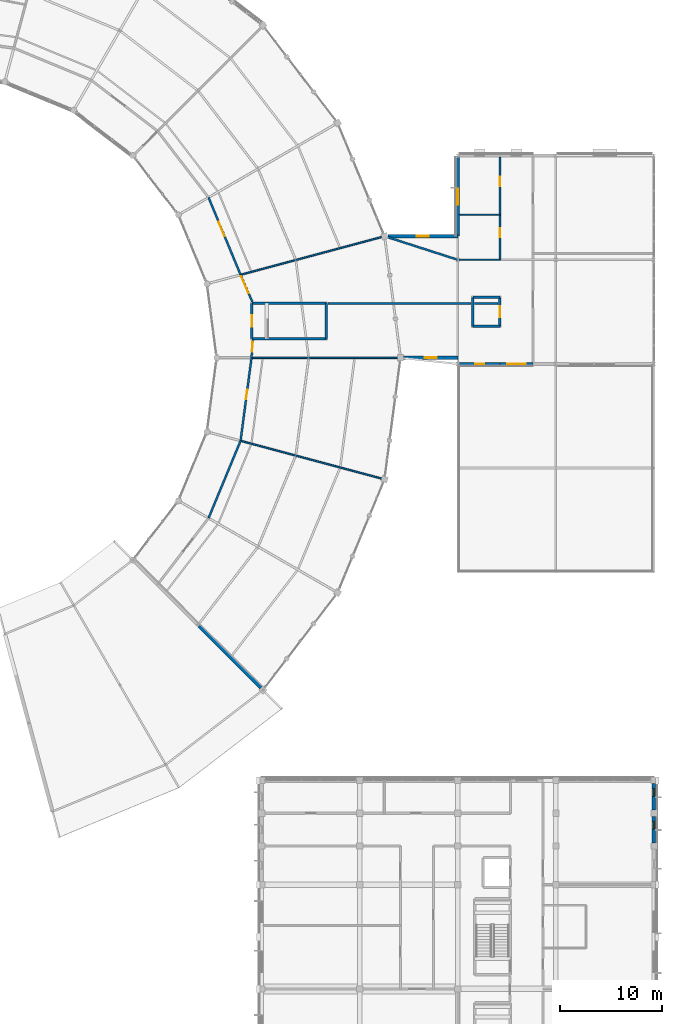
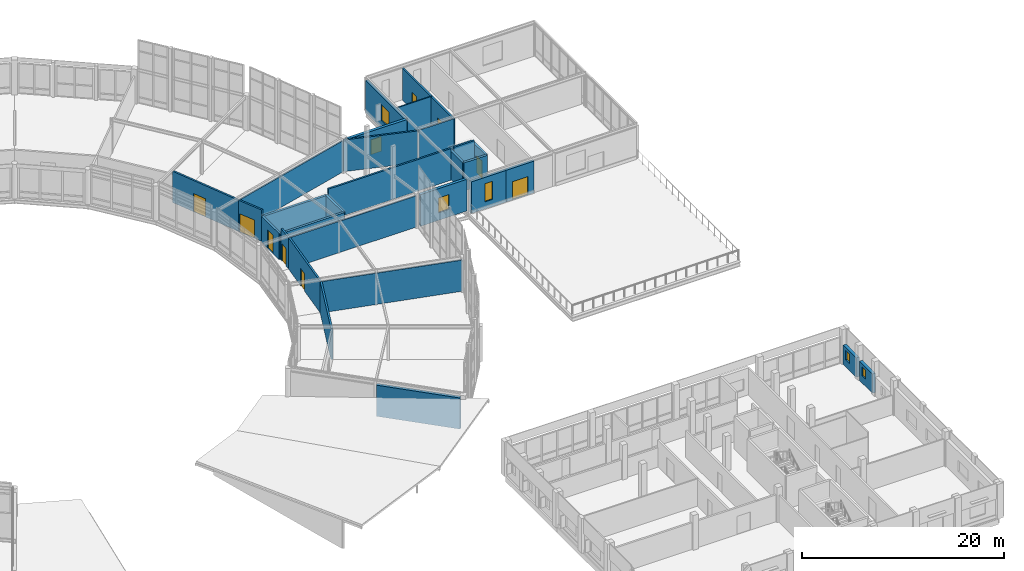
# One storey, part 166 of 185: 30 walls, 9 doors, 6 windows, 15 openings.
"""IFC4 building model written with IfcOpenShell, lengths in metres."""

from ifc_helpers import new_model, si_unit, direction, frame, frame_2d, origin, place, context, subcontext, project, spatial, rectangle, extrude, material, layer, layer_set, type_object, element, fill, save


model = new_model("IFC4")

# Units and contexts
model_context = context("Model", 3, precision=1e-05, world=origin(), true_north=direction((0.0, 1.0)))
body_context = subcontext(model_context, "Body", "Model", "MODEL_VIEW")
ifc_project = project(units=[si_unit("LENGTHUNIT", "METRE"), si_unit("AREAUNIT", "SQUARE_METRE"), si_unit("VOLUMEUNIT", "CUBIC_METRE"), si_unit("PLANEANGLEUNIT", "RADIAN"), si_unit("MASSUNIT", "GRAM", prefix="KILO")], contexts=[model_context])

# Site, building, storey
site_placement = place(None, origin())
site = spatial("IfcSite", under=ifc_project, at=site_placement, CompositionType="ELEMENT")
building_placement = place(site_placement, origin())
building = spatial("IfcBuilding", under=site, at=building_placement, Name="Vondelvale Polytechnic", CompositionType="ELEMENT")
storey_placement = place(building_placement, frame((0.0, 0.0, 9.60009765625)))
storey = spatial("IfcBuildingStorey", under=building, at=storey_placement, Name="L02", CompositionType="ELEMENT", Elevation=9.60009765625)

# Wall, opening, window
ifc_material_1 = material(Name="Amsterdam School iron-spot clinker clay brickwork", Category="masonry")
ifc_layer_1 = layer(ifc_material_1, 0.320068359375)
ifc_layer_set_1 = layer_set([ifc_layer_1], Name="WL-BRICK-320")
wall_type_1 = type_object("IfcWallType", Name="WL-BRICK-320", PredefinedType="SOLIDWALL", material=ifc_layer_set_1)
wall_1_placement = place(storey_placement, frame((157.75, 71.39990234375, 0.0), z_axis=(0.0, 0.0, 1.0), x_axis=(-1.0, 0.0, 0.0)))
wall_1 = element("IfcWall", 1, at=wall_1_placement, inside=storey, type_object=wall_type_1, Name="L02 exterior masonry facade wall", PredefinedType="SOLIDWALL", context=body_context, shape_type="SweptSolid", body=[
    extrude(rectangle(XDim=3.9951171875, YDim=0.320068359375, at=frame_2d((1.99755859375, 0.0))), origin(), (0.0, 0.0, 1.0), 3.82080078125),
])
opening_1_placement = place(wall_1_placement, frame((1.547607421875, 0.0, 0.85009765625)))
opening_1 = element("IfcOpeningElement", 2, at=opening_1_placement, cuts=wall_1, Name="Opening WN-0483", PredefinedType="OPENING", context=body_context, shape_type="SweptSolid", body=[
    extrude(rectangle(XDim=0.89990234375, YDim=2.199951171875, at=frame_2d((0.449951171875, 1.10009765625))), frame((0.0, 0.169921875, 0.0), z_axis=(0.0, -1.0, 0.0), x_axis=(1.0, 0.0, 0.0)), (0.0, 0.0, 1.0), 0.340087890625),
])
ifc_material_2 = material(Name="Double-glazed low-E insulated architectural glass", Category="glass")
window_type_1 = type_object("IfcWindowType", Name="WN-TUR-0900x2200", PartitioningType="SINGLE_PANEL", PredefinedType="WINDOW", material=ifc_material_2)
window_1_placement = place(opening_1_placement, origin())
window_1 = element("IfcWindow", 3, at=window_1_placement, inside=storey, type_object=window_type_1, Name="L02 double-glazed architectural window WN-0483", OverallHeight=2.199951171875, OverallWidth=0.89990234375, PartitioningType="SINGLE_PANEL", PredefinedType="WINDOW", context=body_context, shape_type="SweptSolid", body=[
    extrude(rectangle(XDim=0.89990234375, YDim=2.199951171875, at=frame_2d((0.449951171875, 1.10009765625))), frame((0.0, 0.030029296875, 0.0), z_axis=(0.0, -1.0, 0.0), x_axis=(1.0, 0.0, 0.0)), (0.0, 0.0, 1.0), 0.06005859375),
])
fill(opening_1, window_1)

# Wall, opening, door
wall_2_placement = place(storey_placement, frame((160.949951171875, 71.39990234375, 0.0), z_axis=(0.0, 0.0, 1.0), x_axis=(-1.0, 0.0, 0.0)))
wall_2 = element("IfcWall", 4, at=wall_2_placement, inside=storey, type_object=wall_type_1, Name="L02 exterior masonry facade wall", PredefinedType="SOLIDWALL", context=body_context, shape_type="SweptSolid", body=[
    extrude(rectangle(XDim=3.199951171875, YDim=0.320068359375, at=frame_2d((1.60009765625, 0.0))), origin(), (0.0, 0.0, 1.0), 3.82080078125),
])
opening_2_placement = place(wall_2_placement, frame((0.699951171875, 0.0, 0.0)))
opening_2 = element("IfcOpeningElement", 5, at=opening_2_placement, cuts=wall_2, Name="Opening ED-039", PredefinedType="OPENING", context=body_context, shape_type="SweptSolid", body=[
    extrude(rectangle(XDim=1.800048828125, YDim=2.199951171875, at=frame_2d((0.89990234375, 1.10009765625))), frame((0.0, 0.169921875, 0.0), z_axis=(0.0, -1.0, 0.0), x_axis=(1.0, 0.0, 0.0)), (0.0, 0.0, 1.0), 0.340087890625),
])
ifc_material_3 = material(Name="Anodised extruded aluminium 6063-T6", Category="aluminium")
door_type_1 = type_object("IfcDoorType", Name="DR-TER-1800x2200", OperationType="DOUBLE_DOOR_SINGLE_SWING", PredefinedType="DOOR", material=ifc_material_3)
door_1_placement = place(opening_2_placement, origin())
door_1 = element("IfcDoor", 6, at=door_1_placement, inside=storey, type_object=door_type_1, Name="L02 exterior entrance/exit door ED-039", OperationType="DOUBLE_DOOR_SINGLE_SWING", OverallHeight=2.199951171875, OverallWidth=1.800048828125, PredefinedType="DOOR", context=body_context, shape_type="SweptSolid", body=[
    extrude(rectangle(XDim=1.800048828125, YDim=2.199951171875, at=frame_2d((0.89990234375, 1.10009765625))), frame((0.0, 0.02490234375, 0.0), z_axis=(0.0, -1.0, 0.0), x_axis=(1.0, 0.0, 0.0)), (0.0, 0.0, 1.0), 0.050048828125),
])
fill(opening_2, door_1)

# Wall, opening, window
wall_3_placement = place(storey_placement, frame((153.60009765625, 83.90576171875, 0.0), z_axis=(0.0, 0.0, 1.0), x_axis=(0.0, 1.0, 0.0)))
wall_3 = element("IfcWall", 7, at=wall_3_placement, inside=storey, type_object=wall_type_1, Name="L02 exterior masonry facade wall", PredefinedType="SOLIDWALL", context=body_context, shape_type="SweptSolid", body=[
    extrude(rectangle(XDim=7.7392578125, YDim=0.320068359375, at=frame_2d((3.86962890625, 0.0))), origin(), (0.0, 0.0, 1.0), 3.82080078125),
])
opening_3_placement = place(wall_3_placement, frame((3.069580078125, 0.0, 0.89990234375)))
opening_3 = element("IfcOpeningElement", 8, at=opening_3_placement, cuts=wall_3, Name="Opening WN-0485", PredefinedType="OPENING", context=body_context, shape_type="SweptSolid", body=[
    extrude(rectangle(XDim=1.60009765625, YDim=1.89990234375, at=frame_2d((0.800048828125, 0.949951171875))), frame((0.0, 0.169921875, 0.0), z_axis=(0.0, -1.0, 0.0), x_axis=(1.0, 0.0, 0.0)), (0.0, 0.0, 1.0), 0.340087890625),
])
window_type_2 = type_object("IfcWindowType", Name="WN-SEM-1600x1900", PartitioningType="SINGLE_PANEL", PredefinedType="WINDOW", material=ifc_material_2)
window_2_placement = place(opening_3_placement, origin())
window_2 = element("IfcWindow", 9, at=window_2_placement, inside=storey, type_object=window_type_2, Name="L02 double-glazed architectural window WN-0485", OverallHeight=1.89990234375, OverallWidth=1.60009765625, PartitioningType="SINGLE_PANEL", PredefinedType="WINDOW", context=body_context, shape_type="SweptSolid", body=[
    extrude(rectangle(XDim=1.60009765625, YDim=1.89990234375, at=frame_2d((0.800048828125, 0.949951171875))), frame((0.0, 0.030029296875, 0.0), z_axis=(0.0, -1.0, 0.0), x_axis=(1.0, 0.0, 0.0)), (0.0, 0.0, 1.0), 0.06005859375),
])
fill(opening_3, window_2)

wall_4_placement = place(storey_placement, frame((153.60009765625, 72.0, 0.0), z_axis=(0.0, 0.0, 1.0), x_axis=(-1.0, 0.0, 0.0)))
wall_4 = element("IfcWall", 10, at=wall_4_placement, inside=storey, type_object=wall_type_1, Name="L02 exterior masonry facade wall", PredefinedType="SOLIDWALL", context=body_context, shape_type="SweptSolid", body=[
    extrude(rectangle(XDim=5.299072265625, YDim=0.320068359375, at=frame_2d((2.6494140625, 0.0))), origin(), (0.0, 0.0, 1.0), 3.82080078125),
])
opening_4_placement = place(wall_4_placement, frame((2.049560546875, 0.0, 0.89990234375)))
opening_4 = element("IfcOpeningElement", 11, at=opening_4_placement, cuts=wall_4, Name="Opening WN-0486", PredefinedType="OPENING", context=body_context, shape_type="SweptSolid", body=[
    extrude(rectangle(XDim=1.199951171875, YDim=1.800048828125, at=frame_2d((0.60009765625, 0.89990234375))), frame((0.0, 0.169921875, 0.0), z_axis=(0.0, -1.0, 0.0), x_axis=(1.0, 0.0, 0.0)), (0.0, 0.0, 1.0), 0.340087890625),
])
window_type_3 = type_object("IfcWindowType", Name="WN-OFF-1200x1800", PartitioningType="SINGLE_PANEL", PredefinedType="WINDOW", material=ifc_material_2)
window_3_placement = place(opening_4_placement, origin())
window_3 = element("IfcWindow", 12, at=window_3_placement, inside=storey, type_object=window_type_3, Name="L02 double-glazed architectural window WN-0486", OverallHeight=1.800048828125, OverallWidth=1.199951171875, PartitioningType="SINGLE_PANEL", PredefinedType="WINDOW", context=body_context, shape_type="SweptSolid", body=[
    extrude(rectangle(XDim=1.199951171875, YDim=1.800048828125, at=frame_2d((0.60009765625, 0.89990234375))), frame((0.0, 0.030029296875, 0.0), z_axis=(0.0, -1.0, 0.0), x_axis=(1.0, 0.0, 0.0)), (0.0, 0.0, 1.0), 0.06005859375),
])
fill(opening_4, window_3)

wall_5_placement = place(storey_placement, frame((146.744140625, 83.90576171875, 0.0), z_axis=(0.0, 0.0, 1.0), x_axis=(1.0, 0.0, 0.0)))
wall_5 = element("IfcWall", 13, at=wall_5_placement, inside=storey, type_object=wall_type_1, Name="L02 exterior masonry facade wall", PredefinedType="SOLIDWALL", context=body_context, shape_type="SweptSolid", body=[
    extrude(rectangle(XDim=6.85595703125, YDim=0.320068359375, at=frame_2d((3.427978515625, 0.0))), origin(), (0.0, 0.0, 1.0), 3.82080078125),
])
opening_5_placement = place(wall_5_placement, frame((2.827880859375, 0.0, 0.89990234375)))
opening_5 = element("IfcOpeningElement", 14, at=opening_5_placement, cuts=wall_5, Name="Opening WN-0487", PredefinedType="OPENING", context=body_context, shape_type="SweptSolid", body=[
    extrude(rectangle(XDim=1.199951171875, YDim=1.800048828125, at=frame_2d((0.60009765625, 0.89990234375))), frame((0.0, 0.169921875, 0.0), z_axis=(0.0, -1.0, 0.0), x_axis=(1.0, 0.0, 0.0)), (0.0, 0.0, 1.0), 0.340087890625),
])
window_4_placement = place(opening_5_placement, origin())
window_4 = element("IfcWindow", 15, at=window_4_placement, inside=storey, type_object=window_type_3, Name="L02 double-glazed architectural window WN-0487", OverallHeight=1.800048828125, OverallWidth=1.199951171875, PartitioningType="SINGLE_PANEL", PredefinedType="WINDOW", context=body_context, shape_type="SweptSolid", body=[
    extrude(rectangle(XDim=1.199951171875, YDim=1.800048828125, at=frame_2d((0.60009765625, 0.89990234375))), frame((0.0, 0.030029296875, 0.0), z_axis=(0.0, -1.0, 0.0), x_axis=(1.0, 0.0, 0.0)), (0.0, 0.0, 1.0), 0.06005859375),
])
fill(opening_5, window_4)

ifc_layer_2 = layer(ifc_material_1, 0.35009765625)
ifc_layer_set_2 = layer_set([ifc_layer_2], Name="WL-BRICK-350")
wall_type_2 = type_object("IfcWallType", Name="WL-BRICK-350", PredefinedType="SOLIDWALL", material=ifc_layer_set_2)
wall_6_placement = place(storey_placement, frame((172.800048828125, 30.299072265625, 0.0), z_axis=(0.0, 0.0, 1.0), x_axis=(0.0, -1.0, 0.0)))
wall_6 = element("IfcWall", 16, at=wall_6_placement, inside=storey, type_object=wall_type_2, Name="L02 exterior masonry facade wall", PredefinedType="SOLIDWALL", context=body_context, shape_type="SweptSolid", body=[
    extrude(rectangle(XDim=2.59814453125, YDim=0.35009765625, at=frame_2d((1.299072265625, 0.0))), origin(), (0.0, 0.0, 1.0), 2.329833984375),
])
opening_6_placement = place(wall_6_placement, frame((0.498046875, 0.0, 0.85009765625)))
opening_6 = element("IfcOpeningElement", 17, at=opening_6_placement, cuts=wall_6, Name="Opening WN-0388", PredefinedType="OPENING", context=body_context, shape_type="SweptSolid", body=[
    extrude(rectangle(XDim=0.75, YDim=1.10009765625, at=frame_2d((0.375, 0.550048828125))), frame((0.0, 0.18505859375, 0.0), z_axis=(0.0, -1.0, 0.0), x_axis=(1.0, 0.0, 0.0)), (0.0, 0.0, 1.0), 0.3701171875),
])
window_type_4 = type_object("IfcWindowType", Name="WN-WC-0750x1100", PartitioningType="SINGLE_PANEL", PredefinedType="WINDOW", material=ifc_material_2)
window_5_placement = place(opening_6_placement, origin())
window_5 = element("IfcWindow", 18, at=window_5_placement, inside=storey, type_object=window_type_4, Name="L02 double-glazed architectural window WN-0388", OverallHeight=1.10009765625, OverallWidth=0.75, PartitioningType="SINGLE_PANEL", PredefinedType="WINDOW", context=body_context, shape_type="SweptSolid", body=[
    extrude(rectangle(XDim=0.75, YDim=1.10009765625, at=frame_2d((0.375, 0.550048828125))), frame((0.0, 0.030029296875, 0.0), z_axis=(0.0, -1.0, 0.0), x_axis=(1.0, 0.0, 0.0)), (0.0, 0.0, 1.0), 0.06005859375),
])
fill(opening_6, window_5)

wall_7_placement = place(storey_placement, frame((172.800048828125, 27.09912109375, 0.0), z_axis=(0.0, 0.0, 1.0), x_axis=(0.0, -1.0, 0.0)))
wall_7 = element("IfcWall", 19, at=wall_7_placement, inside=storey, type_object=wall_type_2, Name="L02 exterior masonry facade wall", PredefinedType="SOLIDWALL", context=body_context, shape_type="SweptSolid", body=[
    extrude(rectangle(XDim=2.59814453125, YDim=0.35009765625, at=frame_2d((1.299072265625, 0.0))), origin(), (0.0, 0.0, 1.0), 2.329833984375),
])
opening_7_placement = place(wall_7_placement, frame((0.498046875, 0.0, 0.85009765625)))
opening_7 = element("IfcOpeningElement", 20, at=opening_7_placement, cuts=wall_7, Name="Opening WN-0389", PredefinedType="OPENING", context=body_context, shape_type="SweptSolid", body=[
    extrude(rectangle(XDim=0.75, YDim=1.10009765625, at=frame_2d((0.375, 0.550048828125))), frame((0.0, 0.18505859375, 0.0), z_axis=(0.0, -1.0, 0.0), x_axis=(1.0, 0.0, 0.0)), (0.0, 0.0, 1.0), 0.3701171875),
])
window_6_placement = place(opening_7_placement, origin())
window_6 = element("IfcWindow", 21, at=window_6_placement, inside=storey, type_object=window_type_4, Name="L02 double-glazed architectural window WN-0389", OverallHeight=1.10009765625, OverallWidth=0.75, PartitioningType="SINGLE_PANEL", PredefinedType="WINDOW", context=body_context, shape_type="SweptSolid", body=[
    extrude(rectangle(XDim=0.75, YDim=1.10009765625, at=frame_2d((0.375, 0.550048828125))), frame((0.0, 0.030029296875, 0.0), z_axis=(0.0, -1.0, 0.0), x_axis=(1.0, 0.0, 0.0)), (0.0, 0.0, 1.0), 0.06005859375),
])
fill(opening_7, window_6)

# Walls
wall_8_placement = place(storey_placement, frame((128.255615234375, 45.744384765625, 0.0), z_axis=(0.0, 0.0, 1.0), x_axis=(0.707106781187, -0.707106781187, 0.0)))
element("IfcWall", 22, at=wall_8_placement, inside=storey, type_object=wall_type_2, Name="L02 exterior masonry facade wall", PredefinedType="SOLIDWALL", context=body_context, shape_type="SweptSolid", body=[
    extrude(rectangle(XDim=8.568115234375, YDim=0.35009765625, at=frame_2d((4.2841796875, 0.0))), origin(), (0.0, 0.0, 1.0), 3.760009765625),
])
ifc_material_4 = material(Name="Concrete N40 (f'c = 40 MPa)", Category="concrete")
ifc_layer_3 = layer(ifc_material_4, 0.25)
ifc_layer_set_3 = layer_set([ifc_layer_3], Name="WL-CORE-250")
wall_type_3 = type_object("IfcWallType", Name="WL-CORE-250", PredefinedType="SOLIDWALL", material=ifc_layer_set_3)
wall_9_placement = place(storey_placement, frame((133.425048828125, 73.875, 0.0), z_axis=(0.0, 0.0, 1.0), x_axis=(1.0, 0.0, 0.0)))
element("IfcWall", 23, at=wall_9_placement, inside=storey, type_object=wall_type_3, Name="L02 ST-08 reinforced concrete stair core wall", PredefinedType="SOLIDWALL", context=body_context, shape_type="SweptSolid", body=[
    extrude(rectangle(XDim=7.300048828125, YDim=0.25, at=frame_2d((3.64990234375, 0.0))), origin(), (0.0, 0.0, 1.0), 3.14990234375),
])
wall_10_placement = place(storey_placement, frame((140.72509765625, 73.875, 0.0), z_axis=(0.0, 0.0, 1.0), x_axis=(0.0, 1.0, 0.0)))
element("IfcWall", 24, at=wall_10_placement, inside=storey, type_object=wall_type_3, Name="L02 ST-08 reinforced concrete stair core wall", PredefinedType="SOLIDWALL", context=body_context, shape_type="SweptSolid", body=[
    extrude(rectangle(XDim=3.449951171875, YDim=0.25, at=frame_2d((1.72509765625, 0.0))), origin(), (0.0, 0.0, 1.0), 3.14990234375),
])
wall_11_placement = place(storey_placement, frame((140.72509765625, 77.324951171875, 0.0), z_axis=(0.0, 0.0, 1.0), x_axis=(-1.0, 0.0, 0.0)))
element("IfcWall", 25, at=wall_11_placement, inside=storey, type_object=wall_type_3, Name="L02 ST-08 reinforced concrete stair core wall", PredefinedType="SOLIDWALL", context=body_context, shape_type="SweptSolid", body=[
    extrude(rectangle(XDim=7.300048828125, YDim=0.25, at=frame_2d((3.64990234375, 0.0))), origin(), (0.0, 0.0, 1.0), 3.14990234375),
])

# Wall, opening, door
wall_12_placement = place(storey_placement, frame((133.425048828125, 77.324951171875, 0.0), z_axis=(0.0, 0.0, 1.0), x_axis=(0.0, -1.0, 0.0)))
wall_12 = element("IfcWall", 26, at=wall_12_placement, inside=storey, type_object=wall_type_3, Name="L02 ST-08 reinforced concrete stair core wall", PredefinedType="SOLIDWALL", context=body_context, shape_type="SweptSolid", body=[
    extrude(rectangle(XDim=3.449951171875, YDim=0.25, at=frame_2d((1.72509765625, 0.0))), origin(), (0.0, 0.0, 1.0), 3.14990234375),
])
opening_8_placement = place(wall_12_placement, frame((1.175048828125, 0.0, 0.0)))
opening_8 = element("IfcOpeningElement", 27, at=opening_8_placement, cuts=wall_12, Name="Opening SD-047", PredefinedType="OPENING", context=body_context, shape_type="SweptSolid", body=[
    extrude(rectangle(XDim=1.10009765625, YDim=2.199951171875, at=frame_2d((0.550048828125, 1.10009765625))), frame((0.0, 0.135009765625, 0.0), z_axis=(0.0, -1.0, 0.0), x_axis=(1.0, 0.0, 0.0)), (0.0, 0.0, 1.0), 0.27001953125),
])
ifc_material_5 = material(Name="Brushed architectural stainless and zinc-coated metal")
door_type_2 = type_object("IfcDoorType", Name="DR-STAIR-1100x2200", OperationType="SINGLE_SWING_LEFT", PredefinedType="DOOR", material=ifc_material_5)
door_2_placement = place(opening_8_placement, origin())
door_2 = element("IfcDoor", 28, at=door_2_placement, inside=storey, type_object=door_type_2, Name="L02 ST-08 fire-isolated stair door", OperationType="SINGLE_SWING_LEFT", OverallHeight=2.199951171875, OverallWidth=1.10009765625, PredefinedType="DOOR", context=body_context, shape_type="SweptSolid", body=[
    extrude(rectangle(XDim=1.10009765625, YDim=2.199951171875, at=frame_2d((0.550048828125, 1.10009765625))), frame((0.0, 0.02490234375, 0.0), z_axis=(0.0, -1.0, 0.0), x_axis=(1.0, 0.0, 0.0)), (0.0, 0.0, 1.0), 0.050048828125),
])
fill(opening_8, door_2)

ifc_material_6 = material(Name="Fire-rated double-layer plasterboard stud partition")
ifc_layer_4 = layer(ifc_material_6, 0.199951171875)
ifc_layer_set_4 = layer_set([ifc_layer_4], Name="WL-CORR-200")
wall_type_4 = type_object("IfcWallType", Name="WL-CORR-200", PredefinedType="PARTITIONING", material=ifc_layer_set_4)
wall_13_placement = place(storey_placement, frame((133.39990234375, 72.0, 0.0), z_axis=(0.0, 0.0, 1.0), x_axis=(0.07984138391, 0.996807580938, 0.0)))
wall_13 = element("IfcWall", 29, at=wall_13_placement, inside=storey, type_object=wall_type_4, Name="L02 interior acoustic partition", PredefinedType="PARTITIONING", context=body_context, shape_type="SweptSolid", body=[
    extrude(rectangle(XDim=1.71533203125, YDim=0.199951171875, at=frame_2d((0.857666015625, 0.0))), origin(), (0.0, 0.0, 1.0), 3.77685546875),
])
opening_9_placement = place(wall_13_placement, frame((0.60546875, 0.0, 0.0)))
opening_9 = element("IfcOpeningElement", 30, at=opening_9_placement, cuts=wall_13, Name="Opening ID-0328", PredefinedType="OPENING", context=body_context, shape_type="SweptSolid", body=[
    extrude(rectangle(XDim=0.919921875, YDim=2.10009765625, at=frame_2d((0.4599609375, 1.050048828125))), frame((0.0, 0.10986328125, 0.0), z_axis=(0.0, -1.0, 0.0), x_axis=(1.0, 0.0, 0.0)), (0.0, 0.0, 1.0), 0.219970703125),
])
ifc_material_7 = material(Name="Fire-rated solid Tasmanian oak joinery")
door_type_3 = type_object("IfcDoorType", Name="DR-INT-0920x2100", OperationType="SINGLE_SWING_LEFT", PredefinedType="DOOR", material=ifc_material_7)
door_3_placement = place(opening_9_placement, origin())
door_3 = element("IfcDoor", 31, at=door_3_placement, inside=storey, type_object=door_type_3, Name="L02 interior room door ID-0328", OperationType="SINGLE_SWING_RIGHT", OverallHeight=2.10009765625, OverallWidth=0.919921875, PredefinedType="DOOR", context=body_context, shape_type="SweptSolid", body=[
    extrude(rectangle(XDim=0.919921875, YDim=2.10009765625, at=frame_2d((0.4599609375, 1.050048828125))), frame((0.0, 0.02490234375, 0.0), z_axis=(0.0, -1.0, 0.0), x_axis=(1.0, 0.0, 0.0)), (0.0, 0.0, 1.0), 0.050048828125),
])
fill(opening_9, door_3)

wall_14_placement = place(storey_placement, frame((133.478271484375, 77.489990234375, 0.0), z_axis=(0.0, 0.0, 1.0), x_axis=(-0.399219580964, 0.916855346374, 0.0)))
wall_14 = element("IfcWall", 32, at=wall_14_placement, inside=storey, type_object=wall_type_4, Name="L02 interior acoustic partition", PredefinedType="PARTITIONING", context=body_context, shape_type="SweptSolid", body=[
    extrude(rectangle(XDim=2.8759765625, YDim=0.199951171875, at=frame_2d((1.43798828125, 0.0))), origin(), (0.0, 0.0, 1.0), 3.77685546875),
])
opening_10_placement = place(wall_14_placement, frame((0.916015625, 0.0, 0.0)))
opening_10 = element("IfcOpeningElement", 33, at=opening_10_placement, cuts=wall_14, Name="Opening ID-0329", PredefinedType="OPENING", context=body_context, shape_type="SweptSolid", body=[
    extrude(rectangle(XDim=1.800048828125, YDim=2.199951171875, at=frame_2d((0.89990234375, 1.10009765625))), frame((0.0, 0.10986328125, 0.0), z_axis=(0.0, -1.0, 0.0), x_axis=(1.0, 0.0, 0.0)), (0.0, 0.0, 1.0), 0.219970703125),
])
ifc_material_8 = material(Name="Engineered Tasmanian oak studio and bridge joinery")
door_type_4 = type_object("IfcDoorType", Name="DR-COR-1800x2200", OperationType="DOUBLE_DOOR_SINGLE_SWING", PredefinedType="DOOR", material=ifc_material_8)
door_4_placement = place(opening_10_placement, origin())
door_4 = element("IfcDoor", 34, at=door_4_placement, inside=storey, type_object=door_type_4, Name="L02 interior room door ID-0329", OperationType="DOUBLE_DOOR_SINGLE_SWING", OverallHeight=2.199951171875, OverallWidth=1.800048828125, PredefinedType="DOOR", context=body_context, shape_type="SweptSolid", body=[
    extrude(rectangle(XDim=1.800048828125, YDim=2.199951171875, at=frame_2d((0.89990234375, 1.10009765625))), frame((0.0, 0.02490234375, 0.0), z_axis=(0.0, -1.0, 0.0), x_axis=(1.0, 0.0, 0.0)), (0.0, 0.0, 1.0), 0.050048828125),
])
fill(opening_10, door_4)

# Walls
wall_15_placement = place(storey_placement, frame((140.889892578125, 77.324951171875, 0.0), z_axis=(0.0, 0.0, 1.0), x_axis=(1.0, 0.0, 0.0)))
element("IfcWall", 35, at=wall_15_placement, inside=storey, type_object=wall_type_4, Name="L02 interior acoustic partition", PredefinedType="PARTITIONING", context=body_context, shape_type="SweptSolid", body=[
    extrude(rectangle(XDim=14.02001953125, YDim=0.199951171875, at=frame_2d((7.010009765625, 0.0))), origin(), (0.0, 0.0, 1.0), 3.82080078125),
])
wall_16_placement = place(storey_placement, frame((155.239990234375, 77.324951171875, 0.0), z_axis=(0.0, 0.0, 1.0), x_axis=(1.0, 0.0, 0.0)))
element("IfcWall", 36, at=wall_16_placement, inside=storey, type_object=wall_type_4, Name="L02 interior acoustic partition", PredefinedType="PARTITIONING", context=body_context, shape_type="SweptSolid", body=[
    extrude(rectangle(XDim=2.320068359375, YDim=0.199951171875, at=frame_2d((1.16015625, 0.0))), origin(), (0.0, 0.0, 1.0), 3.849853515625),
])
wall_17_placement = place(storey_placement, frame((146.4326171875, 83.90576171875, 0.0), z_axis=(0.0, 0.0, 1.0), x_axis=(0.951957686255, -0.306229592921, 0.0)))
element("IfcWall", 37, at=wall_17_placement, inside=storey, type_object=wall_type_4, Name="L02 interior acoustic partition", PredefinedType="PARTITIONING", context=body_context, shape_type="SweptSolid", body=[
    extrude(rectangle(XDim=7.529296875, YDim=0.199951171875, at=frame_2d((3.7646484375, 0.0))), origin(), (0.0, 0.0, 1.0), 3.82080078125),
])

# Wall, openings, doors
wall_18_placement = place(storey_placement, frame((157.75, 81.60009765625, 0.0), z_axis=(0.0, 0.0, 1.0), x_axis=(0.0, 1.0, 0.0)))
wall_18 = element("IfcWall", 38, at=wall_18_placement, inside=storey, type_object=wall_type_4, Name="L02 interior acoustic partition", PredefinedType="PARTITIONING", context=body_context, shape_type="SweptSolid", body=[
    extrude(rectangle(XDim=10.0498046875, YDim=0.199951171875, at=frame_2d((5.02490234375, 0.0))), origin(), (0.0, 0.0, 1.0), 3.82080078125),
])
opening_11_placement = place(wall_18_placement, frame((2.199951171875, 0.0, 0.0)))
opening_11 = element("IfcOpeningElement", 39, at=opening_11_placement, cuts=wall_18, Name="Opening ID-0332", PredefinedType="OPENING", context=body_context, shape_type="SweptSolid", body=[
    extrude(rectangle(XDim=0.89990234375, YDim=2.050048828125, at=frame_2d((0.449951171875, 1.02490234375))), frame((0.0, 0.10986328125, 0.0), z_axis=(0.0, -1.0, 0.0), x_axis=(1.0, 0.0, 0.0)), (0.0, 0.0, 1.0), 0.219970703125),
])
opening_12_placement = place(wall_18_placement, frame((7.199951171875, 0.0, 0.0)))
opening_12 = element("IfcOpeningElement", 40, at=opening_12_placement, cuts=wall_18, Name="Opening ID-0333", PredefinedType="OPENING", context=body_context, shape_type="SweptSolid", body=[
    extrude(rectangle(XDim=0.919921875, YDim=2.10009765625, at=frame_2d((0.4599609375, 1.050048828125))), frame((0.0, 0.10986328125, 0.0), z_axis=(0.0, -1.0, 0.0), x_axis=(1.0, 0.0, 0.0)), (0.0, 0.0, 1.0), 0.219970703125),
])
door_5_placement = place(opening_12_placement, origin())
door_5 = element("IfcDoor", 41, at=door_5_placement, inside=storey, type_object=door_type_3, Name="L02 interior room door ID-0333", OperationType="SINGLE_SWING_LEFT", OverallHeight=2.10009765625, OverallWidth=0.919921875, PredefinedType="DOOR", context=body_context, shape_type="SweptSolid", body=[
    extrude(rectangle(XDim=0.919921875, YDim=2.10009765625, at=frame_2d((0.4599609375, 1.050048828125))), frame((0.0, 0.02490234375, 0.0), z_axis=(0.0, -1.0, 0.0), x_axis=(1.0, 0.0, 0.0)), (0.0, 0.0, 1.0), 0.050048828125),
])
fill(opening_12, door_5)
door_type_5 = type_object("IfcDoorType", Name="DR-WC-0900x2050", OperationType="SINGLE_SWING_RIGHT", PredefinedType="DOOR", material=ifc_material_7)
door_6_placement = place(opening_11_placement, origin())
door_6 = element("IfcDoor", 42, at=door_6_placement, inside=storey, type_object=door_type_5, Name="L02 interior room door ID-0332", OperationType="SINGLE_SWING_RIGHT", OverallHeight=2.050048828125, OverallWidth=0.89990234375, PredefinedType="DOOR", context=body_context, shape_type="SweptSolid", body=[
    extrude(rectangle(XDim=0.89990234375, YDim=2.050048828125, at=frame_2d((0.449951171875, 1.02490234375))), frame((0.0, 0.02490234375, 0.0), z_axis=(0.0, -1.0, 0.0), x_axis=(1.0, 0.0, 0.0)), (0.0, 0.0, 1.0), 0.050048828125),
])
fill(opening_11, door_6)

# Wall
wall_19_placement = place(storey_placement, frame((129.193115234375, 56.300048828125, 0.0), z_axis=(0.0, 0.0, 1.0), x_axis=(0.382696385238, 0.923874167149, 0.0)))
element("IfcWall", 43, at=wall_19_placement, inside=storey, type_object=wall_type_4, Name="L02 interior acoustic partition", PredefinedType="PARTITIONING", context=body_context, shape_type="SweptSolid", body=[
    extrude(rectangle(XDim=8.197021484375, YDim=0.199951171875, at=frame_2d((4.0986328125, 0.0))), origin(), (0.0, 0.0, 1.0), 3.77685546875),
])

# Wall, opening, door
wall_20_placement = place(storey_placement, frame((132.330078125, 63.873046875, 0.0), z_axis=(0.0, 0.0, 1.0), x_axis=(0.130513066404, 0.991446589332, 0.0)))
wall_20 = element("IfcWall", 44, at=wall_20_placement, inside=storey, type_object=wall_type_4, Name="L02 interior acoustic partition", PredefinedType="PARTITIONING", context=body_context, shape_type="SweptSolid", body=[
    extrude(rectangle(XDim=8.197021484375, YDim=0.199951171875, at=frame_2d((4.0986328125, 0.0))), origin(), (0.0, 0.0, 1.0), 3.77685546875),
])
opening_13_placement = place(wall_20_placement, frame((4.10009765625, 0.0, 0.0)))
opening_13 = element("IfcOpeningElement", 45, at=opening_13_placement, cuts=wall_20, Name="Opening ID-0335", PredefinedType="OPENING", context=body_context, shape_type="SweptSolid", body=[
    extrude(rectangle(XDim=0.919921875, YDim=2.10009765625, at=frame_2d((0.4599609375, 1.050048828125))), frame((0.0, 0.10986328125, 0.0), z_axis=(0.0, -1.0, 0.0), x_axis=(1.0, 0.0, 0.0)), (0.0, 0.0, 1.0), 0.219970703125),
])
door_7_placement = place(opening_13_placement, origin())
door_7 = element("IfcDoor", 46, at=door_7_placement, inside=storey, type_object=door_type_3, Name="L02 interior room door ID-0335", OperationType="SINGLE_SWING_LEFT", OverallHeight=2.10009765625, OverallWidth=0.919921875, PredefinedType="DOOR", context=body_context, shape_type="SweptSolid", body=[
    extrude(rectangle(XDim=0.919921875, YDim=2.10009765625, at=frame_2d((0.4599609375, 1.050048828125))), frame((0.0, 0.02490234375, 0.0), z_axis=(0.0, -1.0, 0.0), x_axis=(1.0, 0.0, 0.0)), (0.0, 0.0, 1.0), 0.050048828125),
])
fill(opening_13, door_7)

wall_21_placement = place(storey_placement, frame((132.330078125, 80.126953125, 0.0), z_axis=(0.0, 0.0, 1.0), x_axis=(-0.382696385238, 0.923874167149, 0.0)))
wall_21 = element("IfcWall", 47, at=wall_21_placement, inside=storey, type_object=wall_type_4, Name="L02 interior acoustic partition", PredefinedType="PARTITIONING", context=body_context, shape_type="SweptSolid", body=[
    extrude(rectangle(XDim=8.197021484375, YDim=0.199951171875, at=frame_2d((4.0986328125, 0.0))), origin(), (0.0, 0.0, 1.0), 3.77685546875),
])
opening_14_placement = place(wall_21_placement, frame((4.10009765625, 0.0, 0.0)))
opening_14 = element("IfcOpeningElement", 48, at=opening_14_placement, cuts=wall_21, Name="Opening ID-0336", PredefinedType="OPENING", context=body_context, shape_type="SweptSolid", body=[
    extrude(rectangle(XDim=1.5, YDim=2.199951171875, at=frame_2d((0.75, 1.10009765625))), frame((0.0, 0.10986328125, 0.0), z_axis=(0.0, -1.0, 0.0), x_axis=(1.0, 0.0, 0.0)), (0.0, 0.0, 1.0), 0.219970703125),
])
door_type_6 = type_object("IfcDoorType", Name="DR-LAB-1500x2200", OperationType="DOUBLE_DOOR_SINGLE_SWING", PredefinedType="DOOR", material=ifc_material_7)
door_8_placement = place(opening_14_placement, origin())
door_8 = element("IfcDoor", 49, at=door_8_placement, inside=storey, type_object=door_type_6, Name="L02 interior room door ID-0336", OperationType="DOUBLE_DOOR_SINGLE_SWING", OverallHeight=2.199951171875, OverallWidth=1.5, PredefinedType="DOOR", context=body_context, shape_type="SweptSolid", body=[
    extrude(rectangle(XDim=1.5, YDim=2.199951171875, at=frame_2d((0.75, 1.10009765625))), frame((0.0, 0.02490234375, 0.0), z_axis=(0.0, -1.0, 0.0), x_axis=(1.0, 0.0, 0.0)), (0.0, 0.0, 1.0), 0.050048828125),
])
fill(opening_14, door_8)

# Walls
ifc_layer_5 = layer(ifc_material_6, 0.1201171875)
ifc_layer_set_5 = layer_set([ifc_layer_5], Name="WL-INT-120")
wall_type_5 = type_object("IfcWallType", Name="WL-INT-120", PredefinedType="PARTITIONING", material=ifc_layer_set_5)
wall_22_placement = place(storey_placement, frame((153.75, 81.60009765625, 0.0), z_axis=(0.0, 0.0, 1.0), x_axis=(1.0, 0.0, 0.0)))
element("IfcWall", 50, at=wall_22_placement, inside=storey, type_object=wall_type_5, Name="L02 interior acoustic partition", PredefinedType="PARTITIONING", context=body_context, shape_type="SweptSolid", body=[
    extrude(rectangle(XDim=4.0, YDim=0.1201171875, at=frame_2d((2.0, 0.0))), origin(), (0.0, 0.0, 1.0), 3.82080078125),
])
wall_23_placement = place(storey_placement, frame((153.75, 86.0, 0.0), z_axis=(0.0, 0.0, 1.0), x_axis=(1.0, 0.0, 0.0)))
element("IfcWall", 51, at=wall_23_placement, inside=storey, type_object=wall_type_5, Name="L02 interior acoustic partition", PredefinedType="PARTITIONING", context=body_context, shape_type="SweptSolid", body=[
    extrude(rectangle(XDim=4.0, YDim=0.1201171875, at=frame_2d((2.0, 0.0))), origin(), (0.0, 0.0, 1.0), 3.849853515625),
])
ifc_layer_6 = layer(ifc_material_6, 0.14990234375)
ifc_layer_set_6 = layer_set([ifc_layer_6], Name="WL-INT-150")
wall_type_6 = type_object("IfcWallType", Name="WL-INT-150", PredefinedType="PARTITIONING", material=ifc_layer_set_6)
for number, where, z_axis, x_axis, name in (
    (52, (133.39990234375, 72.0, 0.0), (0.0, 0.0, 1.0), (1.0, 0.0, 0.0), "L02 interior acoustic partition"),
    (53, (132.330078125, 80.126953125, 0.0), (0.0, 0.0, 1.0), (0.965928107853, 0.258810530041, 0.0), "L02 interior acoustic partition"),
    (54, (132.330078125, 63.873046875, 0.0), (0.0, 0.0, 1.0), (0.965928107853, -0.258810530041, 0.0), "L02 interior acoustic partition"),
):
    element("IfcWall", number, at=place(storey_placement, frame(where, z_axis=z_axis, x_axis=x_axis)), inside=storey, type_object=wall_type_6, Name=name, PredefinedType="PARTITIONING", context=body_context, shape_type="SweptSolid", body=[
        extrude(rectangle(XDim=14.47998046875, YDim=0.14990234375, at=frame_2d((7.239990234375, 0.0))), origin(), (0.0, 0.0, 1.0), 3.77685546875),
    ])
ifc_layer_7 = layer(ifc_material_4, 0.25)
ifc_layer_set_7 = layer_set([ifc_layer_7], Name="WL-SHAFT-250")
wall_type_7 = type_object("IfcWallType", Name="WL-SHAFT-250", PredefinedType="SOLIDWALL", material=ifc_layer_set_7)
wall_24_placement = place(storey_placement, frame((155.074951171875, 75.074951171875, 0.0), z_axis=(0.0, 0.0, 1.0), x_axis=(1.0, 0.0, 0.0)))
element("IfcWall", 55, at=wall_24_placement, inside=storey, type_object=wall_type_7, Name="L02 PL-04 lift shaft wall S", PredefinedType="SOLIDWALL", context=body_context, shape_type="SweptSolid", body=[
    extrude(rectangle(XDim=2.650146484375, YDim=0.25, at=frame_2d((1.3251953125, 0.0))), origin(), (0.0, 0.0, 1.0), 3.39990234375),
])

# Wall, opening, door
wall_25_placement = place(storey_placement, frame((157.72509765625, 75.074951171875, 0.0), z_axis=(0.0, 0.0, 1.0), x_axis=(0.0, 1.0, 0.0)))
wall_25 = element("IfcWall", 56, at=wall_25_placement, inside=storey, type_object=wall_type_7, Name="L02 PL-04 lift shaft wall E", PredefinedType="SOLIDWALL", context=body_context, shape_type="SweptSolid", body=[
    extrude(rectangle(XDim=2.85009765625, YDim=0.25, at=frame_2d((1.425048828125, 0.0))), origin(), (0.0, 0.0, 1.0), 3.39990234375),
])
opening_15_placement = place(wall_25_placement, frame((0.875, 0.0, 0.0)))
opening_15 = element("IfcOpeningElement", 57, at=opening_15_placement, cuts=wall_25, Name="Opening LD-044", PredefinedType="OPENING", context=body_context, shape_type="SweptSolid", body=[
    extrude(rectangle(XDim=1.10009765625, YDim=2.10009765625, at=frame_2d((0.550048828125, 1.050048828125))), frame((0.0, 0.135009765625, 0.0), z_axis=(0.0, -1.0, 0.0), x_axis=(1.0, 0.0, 0.0)), (0.0, 0.0, 1.0), 0.27001953125),
])
door_type_7 = type_object("IfcDoorType", Name="DR-LIFT-1100x2100", OperationType="SLIDING_TO_LEFT", PredefinedType="DOOR", material=ifc_material_5)
door_9_placement = place(opening_15_placement, origin())
door_9 = element("IfcDoor", 58, at=door_9_placement, inside=storey, type_object=door_type_7, Name="L02 PL-04 sliding lift landing door", OperationType="SLIDING_TO_LEFT", OverallHeight=2.10009765625, OverallWidth=1.10009765625, PredefinedType="DOOR", context=body_context, shape_type="SweptSolid", body=[
    extrude(rectangle(XDim=1.10009765625, YDim=2.10009765625, at=frame_2d((0.550048828125, 1.050048828125))), frame((0.0, 0.02490234375, 0.0), z_axis=(0.0, -1.0, 0.0), x_axis=(1.0, 0.0, 0.0)), (0.0, 0.0, 1.0), 0.050048828125),
])
fill(opening_15, door_9)

# Walls
wall_26_placement = place(storey_placement, frame((157.72509765625, 77.925048828125, 0.0), z_axis=(0.0, 0.0, 1.0), x_axis=(-1.0, 0.0, 0.0)))
element("IfcWall", 59, at=wall_26_placement, inside=storey, type_object=wall_type_7, Name="L02 PL-04 lift shaft wall N", PredefinedType="SOLIDWALL", context=body_context, shape_type="SweptSolid", body=[
    extrude(rectangle(XDim=2.650146484375, YDim=0.25, at=frame_2d((1.3251953125, 0.0))), origin(), (0.0, 0.0, 1.0), 3.39990234375),
])
wall_27_placement = place(storey_placement, frame((155.074951171875, 77.925048828125, 0.0), z_axis=(0.0, 0.0, 1.0), x_axis=(0.0, -1.0, 0.0)))
element("IfcWall", 60, at=wall_27_placement, inside=storey, type_object=wall_type_7, Name="L02 PL-04 lift shaft wall W", PredefinedType="SOLIDWALL", context=body_context, shape_type="SweptSolid", body=[
    extrude(rectangle(XDim=2.85009765625, YDim=0.25, at=frame_2d((1.425048828125, 0.0))), origin(), (0.0, 0.0, 1.0), 3.39990234375),
])

save(model, "model.ifc")
